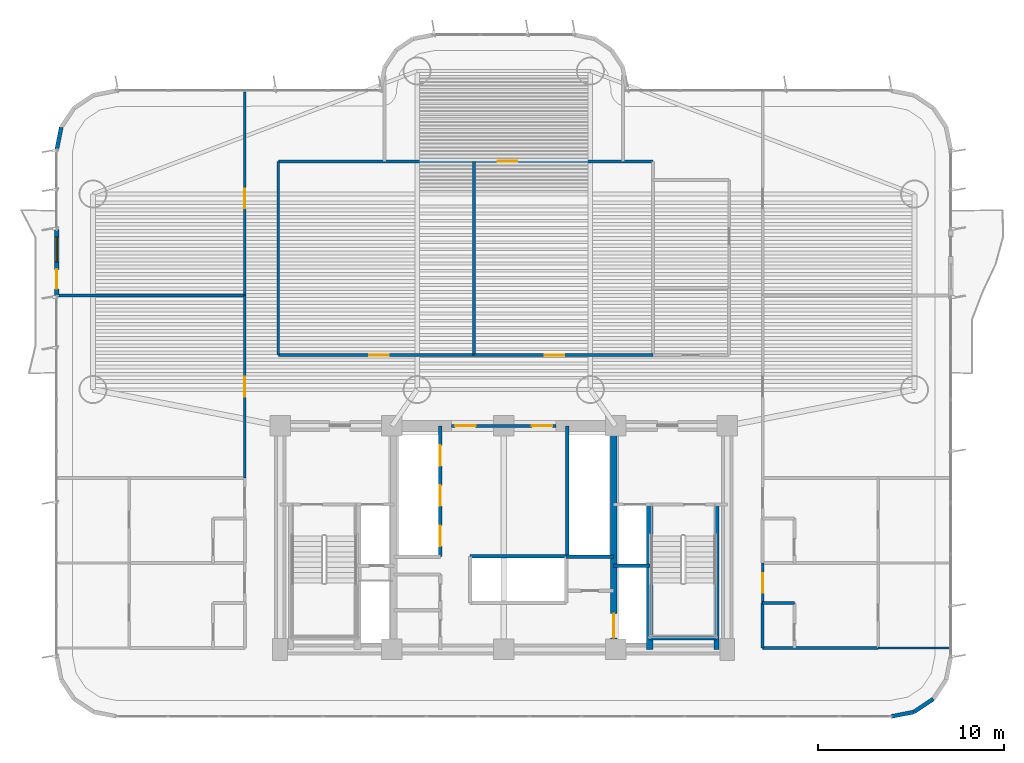
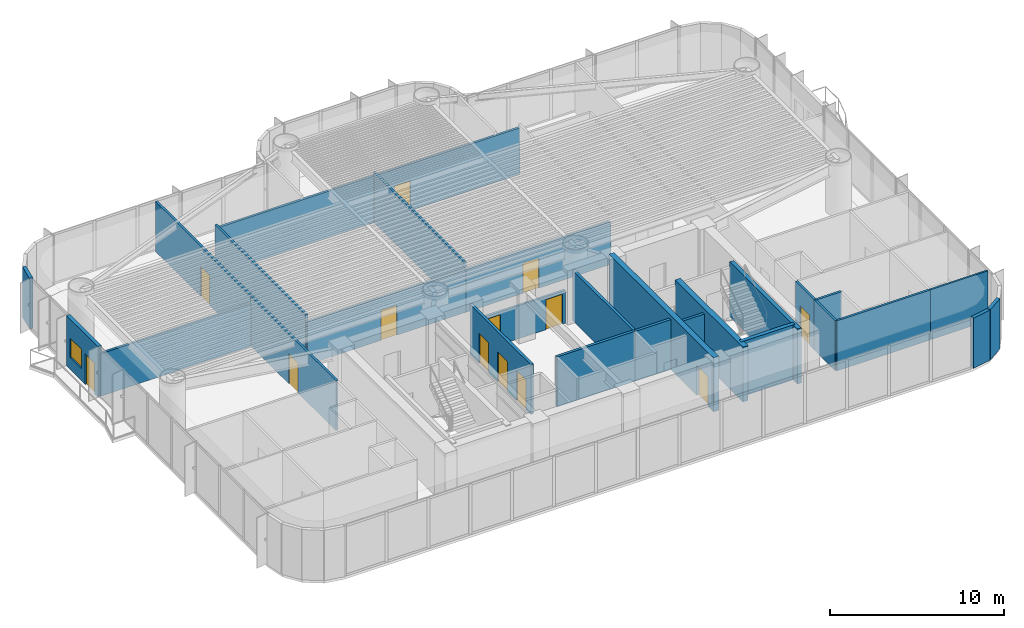
# One storey, part 11 of 17: 27 walls, 13 doors, 1 window, 14 openings.
"""IFC4 building model written with IfcOpenShell, lengths in metres."""

from ifc_helpers import new_model, si_unit, direction, frame, frame_2d, origin, origin_2d, place, context, subcontext, project, spatial, rectangle, extrude, source, transform, mapped, material, layer, layer_set, type_object, element, fill, save


model = new_model("IFC4")

# Units and contexts
model_context = context("Model", 3, precision=1e-05, world=origin(), true_north=direction((0.0, 1.0)))
body_context = subcontext(model_context, "Body", "Model", "MODEL_VIEW")
ifc_project = project(units=[si_unit("LENGTHUNIT", "METRE"), si_unit("AREAUNIT", "SQUARE_METRE"), si_unit("VOLUMEUNIT", "CUBIC_METRE"), si_unit("PLANEANGLEUNIT", "RADIAN"), si_unit("MASSUNIT", "GRAM", prefix="KILO")], contexts=[model_context])

# Site, building, storey
site_placement = place(None, origin())
site = spatial("IfcSite", under=ifc_project, at=site_placement, CompositionType="ELEMENT")
building_placement = place(site_placement, origin())
building = spatial("IfcBuilding", under=site, at=building_placement, Name="Brelvock Crest Care Tower", CompositionType="ELEMENT")
storey_placement = place(building_placement, frame((0.0, 0.0, 45.89990234375)))
storey = spatial("IfcBuildingStorey", under=building, at=storey_placement, Name="L11", CompositionType="ELEMENT", Elevation=45.89990234375)

# Wall, opening, door
ifc_material_1 = material(Name="Concrete S80 (80 MPa)", Category="concrete")
ifc_layer_1 = layer(ifc_material_1, 0.35009765625, Name="WL-CS5")
ifc_layer_set_1 = layer_set([ifc_layer_1], Name="Concrete S80 (80 MPa)")
wall_type_1 = type_object("IfcWallType", Name="WL-CS5", PredefinedType="SHEAR", material=ifc_layer_set_1)
wall_1_placement = place(storey_placement, frame((41.89990234375, 18.0, 0.0), z_axis=(0.0, 0.0, 1.0), x_axis=(0.0, -1.0, 0.0)))
wall_1 = element("IfcWall", 1, at=wall_1_placement, inside=storey, type_object=wall_type_1, Name="L11 Core Internal Web Wall East", PredefinedType="SHEAR", context=body_context, shape_type="SweptSolid", body=[
    extrude(rectangle(XDim=12.0, YDim=0.35009765625, at=frame_2d((6.0, 0.0))), origin(), (0.0, 0.0, 1.0), 3.780029296875),
])
opening_1_placement = place(wall_1_placement, frame((10.080078125, 0.0, 0.0)))
opening_1 = element("IfcOpeningElement", 2, at=opening_1_placement, cuts=wall_1, Name="Opening LD-S", PredefinedType="OPENING", context=body_context, shape_type="SweptSolid", body=[
    extrude(rectangle(XDim=1.300048828125, YDim=2.10009765625, at=origin_2d()), frame((0.64990234375, 0.18505859375, 1.050048828125), z_axis=(0.0, -1.0, 0.0), x_axis=(1.0, 0.0, 0.0)), (0.0, 0.0, 1.0), 0.3701171875),
])
ifc_material_2 = material(Name="Steel Grade 350", Category="steel")
door_type_1 = type_object("IfcDoorType", Name="DR-LDS1", OperationType="NOTDEFINED", PredefinedType="DOOR", material=ifc_material_2)
shared_shape_1 = source(origin(), body_context, "Body", "SweptSolid", [
    extrude(rectangle(XDim=1.300048828125, YDim=2.10009765625, at=origin_2d()), frame((0.64990234375, 0.02490234375, 1.050048828125), z_axis=(0.0, -1.0, 0.0), x_axis=(1.0, 0.0, 0.0)), (0.0, 0.0, 1.0), 0.050048828125),
])
door_1_placement = place(opening_1_placement, origin())
door_1 = element("IfcDoor", 3, at=door_1_placement, inside=storey, type_object=door_type_1, Name="L11 Clinical Bed Lift SL-1 Landing Door", OperationType="SLIDING_TO_LEFT", OverallHeight=2.10009765625, OverallWidth=1.300048828125, PredefinedType="DOOR", context=body_context, shape_type="MappedRepresentation", body=[
    mapped(shared_shape_1, transform((0.0, 0.0, 0.0), x_axis=(1.0, 0.0, 0.0), y_axis=(0.0, 1.0, 0.0), z_axis=(0.0, 0.0, 1.0), scale=1.0)),
])
fill(opening_1, door_1)

# Walls
wall_2_placement = place(storey_placement, frame((43.85009765625, 6.0, 0.0), z_axis=(0.0, 0.0, 1.0), x_axis=(0.0, 1.0, 0.0)))
element("IfcWall", 4, at=wall_2_placement, inside=storey, type_object=wall_type_1, Name="L11 Core Stair ST-2 West Shear Wall", PredefinedType="SHEAR", context=body_context, shape_type="SweptSolid", body=[
    extrude(rectangle(XDim=7.780029296875, YDim=0.35009765625, at=frame_2d((3.89013671875, 0.0))), origin(), (0.0, 0.0, 1.0), 3.85009765625),
])
ifc_layer_2 = layer(ifc_material_1, 0.25, Name="WL-CS6")
ifc_layer_set_2 = layer_set([ifc_layer_2], Name="Concrete S80 (80 MPa)")
wall_type_2 = type_object("IfcWallType", Name="WL-CS6", PredefinedType="SHEAR", material=ifc_layer_set_2)
wall_3_placement = place(storey_placement, frame((47.419921875, 6.0, 0.0), z_axis=(0.0, 0.0, 1.0), x_axis=(0.0, 1.0, 0.0)))
element("IfcWall", 5, at=wall_3_placement, inside=storey, type_object=wall_type_2, Name="L11 Core Stair ST-2 East Shear Wall", PredefinedType="SHEAR", context=body_context, shape_type="SweptSolid", body=[
    extrude(rectangle(XDim=7.780029296875, YDim=0.25, at=frame_2d((3.89013671875, 0.0))), origin(), (0.0, 0.0, 1.0), 3.85009765625),
])
wall_4_placement = place(storey_placement, frame((43.85009765625, 6.6201171875, 0.0), z_axis=(0.0, 0.0, 1.0), x_axis=(1.0, 0.0, 0.0)))
element("IfcWall", 6, at=wall_4_placement, inside=storey, type_object=wall_type_2, Name="L11 Core Stair ST-2 South Shear Wall", PredefinedType="SHEAR", context=body_context, shape_type="SweptSolid", body=[
    extrude(rectangle(XDim=3.56982421875, YDim=0.25, at=frame_2d((1.784912109375, 0.0))), origin(), (0.0, 0.0, 1.0), 3.85009765625),
])

# Wall, openings, door, window
ifc_material_3 = material(Name="Precast concrete N40 (40 MPa)", Category="concrete")
ifc_layer_3 = layer(ifc_material_3, 0.239990234375, Name="WL-EX1")
ifc_layer_set_3 = layer_set([ifc_layer_3], Name="Precast concrete N40 (40 MPa)")
wall_type_3 = type_object("IfcWallType", Name="WL-EX1", PredefinedType="SOLIDWALL", material=ifc_layer_set_3)
wall_5_placement = place(storey_placement, frame((12.0, 24.949951171875, 0.0), z_axis=(0.0, 0.0, 1.0), x_axis=(0.0, 1.0, 0.0)))
wall_5 = element("IfcWall", 7, at=wall_5_placement, inside=storey, type_object=wall_type_3, Name="L11 Exterior Spandrel Wall WL-BAL-L11-W", PredefinedType="SOLIDWALL", context=body_context, shape_type="SweptSolid", body=[
    extrude(rectangle(XDim=3.60009765625, YDim=0.239990234375, at=frame_2d((1.800048828125, 0.0))), origin(), (0.0, 0.0, 1.0), 3.530029296875),
])
opening_2_placement = place(wall_5_placement, frame((0.39990234375, 0.0, 0.0)))
opening_2 = element("IfcOpeningElement", 8, at=opening_2_placement, cuts=wall_5, Name="Opening BD-1", PredefinedType="OPENING", context=body_context, shape_type="SweptSolid", body=[
    extrude(rectangle(XDim=1.050048828125, YDim=2.14990234375, at=origin_2d()), frame((0.52490234375, 0.1298828125, 1.074951171875), z_axis=(0.0, -1.0, 0.0), x_axis=(1.0, 0.0, 0.0)), (0.0, 0.0, 1.0), 0.260009765625),
])
opening_3_placement = place(wall_5_placement, frame((1.85009765625, 0.0, 0.85009765625)))
opening_3 = element("IfcOpeningElement", 9, at=opening_3_placement, cuts=wall_5, Name="Opening W-01", PredefinedType="OPENING", context=body_context, shape_type="SweptSolid", body=[
    extrude(rectangle(XDim=1.35009765625, YDim=1.35009765625, at=origin_2d()), frame((0.675048828125, 0.1298828125, 0.675048828125), z_axis=(0.0, -1.0, 0.0), x_axis=(1.0, 0.0, 0.0)), (0.0, 0.0, 1.0), 0.260009765625),
])
ifc_material_4 = material(Name="Dark Glass Double Glazed Low-E", Category="glass")
door_type_2 = type_object("IfcDoorType", Name="DR-BAL1", OperationType="NOTDEFINED", PredefinedType="DOOR", material=ifc_material_4)
shared_shape_2 = source(origin(), body_context, "Body", "SweptSolid", [
    extrude(rectangle(XDim=1.050048828125, YDim=2.14990234375, at=origin_2d()), frame((0.52490234375, 0.02490234375, 1.074951171875), z_axis=(0.0, -1.0, 0.0), x_axis=(1.0, 0.0, 0.0)), (0.0, 0.0, 1.0), 0.050048828125),
])
door_2_placement = place(opening_2_placement, origin())
door_2 = element("IfcDoor", 10, at=door_2_placement, inside=storey, type_object=door_type_2, Name="L11 W Wave Balcony Glazed Door", OperationType="SINGLE_SWING_LEFT", OverallHeight=2.14990234375, OverallWidth=1.050048828125, PredefinedType="DOOR", context=body_context, shape_type="MappedRepresentation", body=[
    mapped(shared_shape_2, transform((0.0, 0.0, 0.0), x_axis=(1.0, 0.0, 0.0), y_axis=(0.0, 1.0, 0.0), z_axis=(0.0, 0.0, 1.0), scale=1.0)),
])
fill(opening_2, door_2)
window_type = type_object("IfcWindowType", Name="WN-EX1", PartitioningType="SINGLE_PANEL", PredefinedType="WINDOW", material=ifc_material_4)
shared_shape_3 = source(origin(), body_context, "Body", "SweptSolid", [
    extrude(rectangle(XDim=1.35009765625, YDim=1.35009765625, at=origin_2d()), frame((0.675048828125, 0.030029296875, 0.675048828125), z_axis=(0.0, -1.0, 0.0), x_axis=(1.0, 0.0, 0.0)), (0.0, 0.0, 1.0), 0.06005859375),
])
window_placement = place(opening_3_placement, origin())
window = element("IfcWindow", 11, at=window_placement, inside=storey, type_object=window_type, Name="L11 W Suite Casement Window", OverallHeight=1.35009765625, OverallWidth=1.35009765625, PartitioningType="SINGLE_PANEL", PredefinedType="WINDOW", context=body_context, shape_type="MappedRepresentation", body=[
    mapped(shared_shape_3, transform((0.0, 0.0, 0.0), x_axis=(1.0, 0.0, 0.0), y_axis=(0.0, 1.0, 0.0), z_axis=(0.0, 0.0, 1.0), scale=1.0)),
])
fill(opening_3, window)

# Walls
ifc_layer_4 = layer(ifc_material_3, 0.215087890625, Name="WL-EX2")
ifc_layer_set_4 = layer_set([ifc_layer_4], Name="Precast concrete N40 (40 MPa)")
wall_type_4 = type_object("IfcWallType", Name="WL-EX2", PredefinedType="SOLIDWALL", material=ifc_layer_set_4)
for number, where, z_axis, x_axis, name in (
    (12, (59.062744140625, 3.33740234375, 0.0), (0.0, 0.0, 1.0), (-0.831387912822, -0.555692485475, 0.0), "L11 Rounded Corner Wall 06"),
    (13, (58.024658203125, 2.6435546875, 0.0), (0.0, 0.0, 1.0), (-0.980775717779, -0.195138390419, 0.0), "L11 Rounded Corner Wall 07"),
    (14, (12.0, 32.800048828125, 0.0), (0.0, 0.0, 1.0), (0.195138390419, 0.980775717779, 0.0), "L11 Rounded Corner Wall 14"),
):
    element("IfcWall", number, at=place(storey_placement, frame(where, z_axis=z_axis, x_axis=x_axis)), inside=storey, type_object=wall_type_4, Name=name, PredefinedType="SOLIDWALL", context=body_context, shape_type="SweptSolid", body=[
        extrude(rectangle(XDim=1.24853515625, YDim=0.215087890625, at=frame_2d((0.624267578125, 0.0))), origin(), (0.0, 0.0, 1.0), 3.530029296875),
    ])

# Wall, openings, doors
ifc_material_5 = material(Name="Masonry Blockwork Acoustic Partition", Category="masonry")
ifc_layer_5 = layer(ifc_material_5, 0.14990234375, Name="WL-INT1")
ifc_layer_set_5 = layer_set([ifc_layer_5], Name="Masonry Blockwork Acoustic Partition")
wall_type_5 = type_object("IfcWallType", Name="WL-INT1", PredefinedType="PARTITIONING", material=ifc_layer_set_5)
wall_6_placement = place(storey_placement, frame((33.199951171875, 18.0, 0.0), z_axis=(0.0, 0.0, 1.0), x_axis=(1.0, 0.0, 0.0)))
wall_6 = element("IfcWall", 15, at=wall_6_placement, inside=storey, type_object=wall_type_5, Name="L11 Interior Wall WL-CORE-NPORT-L11", PredefinedType="PARTITIONING", context=body_context, shape_type="SweptSolid", body=[
    extrude(rectangle(XDim=5.60009765625, YDim=0.14990234375, at=frame_2d((2.800048828125, 0.0))), origin(), (0.0, 0.0, 1.0), 2.315185546875),
])
opening_4_placement = place(wall_6_placement, frame((0.18994140625, 0.0, 0.0)))
opening_4 = element("IfcOpeningElement", 16, at=opening_4_placement, cuts=wall_6, Name="Opening FD-1", PredefinedType="OPENING", context=body_context, shape_type="SweptSolid", body=[
    extrude(rectangle(XDim=1.10009765625, YDim=2.10009765625, at=origin_2d()), frame((0.550048828125, 0.0849609375, 1.050048828125), z_axis=(0.0, -1.0, 0.0), x_axis=(1.0, 0.0, 0.0)), (0.0, 0.0, 1.0), 0.169921875),
])
opening_5_placement = place(wall_6_placement, frame((4.31005859375, 0.0, 0.0)))
opening_5 = element("IfcOpeningElement", 17, at=opening_5_placement, cuts=wall_6, Name="Opening FD-1", PredefinedType="OPENING", context=body_context, shape_type="SweptSolid", body=[
    extrude(rectangle(XDim=1.10009765625, YDim=2.10009765625, at=origin_2d()), frame((0.550048828125, 0.0849609375, 1.050048828125), z_axis=(0.0, -1.0, 0.0), x_axis=(1.0, 0.0, 0.0)), (0.0, 0.0, 1.0), 0.169921875),
])
door_type_3 = type_object("IfcDoorType", Name="DR-FFL1", OperationType="NOTDEFINED", PredefinedType="DOOR", material=ifc_material_2)
shared_shape_4 = source(origin(), body_context, "Body", "SweptSolid", [
    extrude(rectangle(XDim=1.10009765625, YDim=2.10009765625, at=origin_2d()), frame((0.550048828125, 0.02490234375, 1.050048828125), z_axis=(0.0, -1.0, 0.0), x_axis=(1.0, 0.0, 0.0)), (0.0, 0.0, 1.0), 0.050048828125),
])
door_3_placement = place(opening_4_placement, origin())
door_3 = element("IfcDoor", 18, at=door_3_placement, inside=storey, type_object=door_type_3, Name="L11 Lift Lobby North Smoke Door West", OperationType="SINGLE_SWING_LEFT", OverallHeight=2.10009765625, OverallWidth=1.10009765625, PredefinedType="DOOR", context=body_context, shape_type="MappedRepresentation", body=[
    mapped(shared_shape_4, transform((0.0, 0.0, 0.0), x_axis=(1.0, 0.0, 0.0), y_axis=(0.0, 1.0, 0.0), z_axis=(0.0, 0.0, 1.0), scale=1.0)),
])
fill(opening_4, door_3)
door_4_placement = place(opening_5_placement, origin())
door_4 = element("IfcDoor", 19, at=door_4_placement, inside=storey, type_object=door_type_3, Name="L11 Lift Lobby North Smoke Door East", OperationType="SINGLE_SWING_RIGHT", OverallHeight=2.10009765625, OverallWidth=1.10009765625, PredefinedType="DOOR", context=body_context, shape_type="MappedRepresentation", body=[
    mapped(shared_shape_4, transform((0.0, 0.0, 0.0), x_axis=(1.0, 0.0, 0.0), y_axis=(0.0, 1.0, 0.0), z_axis=(0.0, 0.0, 1.0), scale=1.0)),
])
fill(opening_5, door_4)

# Wall
wall_7_placement = place(storey_placement, frame((49.89990234375, 6.080078125, 0.0), z_axis=(0.0, 0.0, 1.0), x_axis=(1.0, 0.0, 0.0)))
element("IfcWall", 20, at=wall_7_placement, inside=storey, type_object=wall_type_5, Name="L11 Interior Wall WL-BX-L11-CS-ER1A-S", PredefinedType="PARTITIONING", context=body_context, shape_type="SweptSolid", body=[
    extrude(rectangle(XDim=6.2001953125, YDim=0.14990234375, at=frame_2d((3.10009765625, 0.0))), origin(), (0.0, 0.0, 1.0), 3.5),
])

# Wall, opening, door
wall_8_placement = place(storey_placement, frame((23.89990234375, 21.800048828125, 0.0), z_axis=(0.0, 0.0, 1.0), x_axis=(1.0, 0.0, 0.0)))
wall_8 = element("IfcWall", 21, at=wall_8_placement, inside=storey, type_object=wall_type_5, Name="L11 Interior Wall WL-RM-L11-CNW", PredefinedType="PARTITIONING", context=body_context, shape_type="SweptSolid", body=[
    extrude(rectangle(XDim=10.5, YDim=0.14990234375, at=frame_2d((5.25, 0.0))), origin(), (0.0, 0.0, 1.0), 2.982177734375),
])
opening_6_placement = place(wall_8_placement, frame((4.875, 0.0, 0.0)))
opening_6 = element("IfcOpeningElement", 22, at=opening_6_placement, cuts=wall_8, Name="Opening CLD-1", PredefinedType="OPENING", context=body_context, shape_type="SweptSolid", body=[
    extrude(rectangle(XDim=1.050048828125, YDim=2.10009765625, at=origin_2d()), frame((0.52490234375, 0.0849609375, 1.050048828125), z_axis=(0.0, -1.0, 0.0), x_axis=(1.0, 0.0, 0.0)), (0.0, 0.0, 1.0), 0.169921875),
])
ifc_material_6 = material(Name="Engineered Hardwood Timber", Category="wood")
door_type_4 = type_object("IfcDoorType", Name="DR-CLN1", OperationType="NOTDEFINED", PredefinedType="DOOR", material=ifc_material_6)
shared_shape_5 = source(origin(), body_context, "Body", "SweptSolid", [
    extrude(rectangle(XDim=1.050048828125, YDim=2.10009765625, at=origin_2d()), frame((0.52490234375, 0.02490234375, 1.050048828125), z_axis=(0.0, -1.0, 0.0), x_axis=(1.0, 0.0, 0.0)), (0.0, 0.0, 1.0), 0.050048828125),
])
door_5_placement = place(opening_6_placement, origin())
door_5 = element("IfcDoor", 23, at=door_5_placement, inside=storey, type_object=door_type_4, Name="L11 Communal Dining Conservatory Door CNW", OperationType="SINGLE_SWING_LEFT", OverallHeight=2.10009765625, OverallWidth=1.050048828125, PredefinedType="DOOR", context=body_context, shape_type="MappedRepresentation", body=[
    mapped(shared_shape_5, transform((0.0, 0.0, 0.0), x_axis=(1.0, 0.0, 0.0), y_axis=(0.0, 1.0, 0.0), z_axis=(0.0, 0.0, 1.0), scale=1.0)),
])
fill(opening_6, door_5)

wall_9_placement = place(storey_placement, frame((34.39990234375, 21.800048828125, 0.0), z_axis=(0.0, 0.0, 1.0), x_axis=(1.0, 0.0, 0.0)))
wall_9 = element("IfcWall", 24, at=wall_9_placement, inside=storey, type_object=wall_type_5, Name="L11 Interior Wall WL-RM-L11-CNE", PredefinedType="PARTITIONING", context=body_context, shape_type="SweptSolid", body=[
    extrude(rectangle(XDim=9.60009765625, YDim=0.14990234375, at=frame_2d((4.800048828125, 0.0))), origin(), (0.0, 0.0, 1.0), 2.982177734375),
])
opening_7_placement = place(wall_9_placement, frame((3.794921875, 0.0, 0.0)))
opening_7 = element("IfcOpeningElement", 25, at=opening_7_placement, cuts=wall_9, Name="Opening CLD-1", PredefinedType="OPENING", context=body_context, shape_type="SweptSolid", body=[
    extrude(rectangle(XDim=1.050048828125, YDim=2.10009765625, at=origin_2d()), frame((0.52490234375, 0.0849609375, 1.050048828125), z_axis=(0.0, -1.0, 0.0), x_axis=(1.0, 0.0, 0.0)), (0.0, 0.0, 1.0), 0.169921875),
])
door_6_placement = place(opening_7_placement, origin())
door_6 = element("IfcDoor", 26, at=door_6_placement, inside=storey, type_object=door_type_4, Name="L11 Geriatric Nurse Consultation Hub Door CNE", OperationType="SINGLE_SWING_LEFT", OverallHeight=2.10009765625, OverallWidth=1.050048828125, PredefinedType="DOOR", context=body_context, shape_type="MappedRepresentation", body=[
    mapped(shared_shape_5, transform((0.0, 0.0, 0.0), x_axis=(1.0, 0.0, 0.0), y_axis=(0.0, 1.0, 0.0), z_axis=(0.0, 0.0, 1.0), scale=1.0)),
])
fill(opening_7, door_6)

# Wall
wall_10_placement = place(storey_placement, frame((12.080078125, 25.0, 0.0), z_axis=(0.0, 0.0, 1.0), x_axis=(1.0, 0.0, 0.0)))
element("IfcWall", 27, at=wall_10_placement, inside=storey, type_object=wall_type_5, Name="L11 Interior Wall WL-BX-L11-WCL2-N", PredefinedType="PARTITIONING", context=body_context, shape_type="SweptSolid", body=[
    extrude(rectangle(XDim=10.02001953125, YDim=0.14990234375, at=frame_2d((5.010009765625, 0.0))), origin(), (0.0, 0.0, 1.0), 2.982177734375),
])

# Wall, opening, door
wall_11_placement = place(storey_placement, frame((23.89990234375, 32.199951171875, 0.0), z_axis=(0.0, 0.0, 1.0), x_axis=(1.0, 0.0, 0.0)))
wall_11 = element("IfcWall", 28, at=wall_11_placement, inside=storey, type_object=wall_type_5, Name="L11 Interior Wall WL-RM-L11-NHUB", PredefinedType="PARTITIONING", context=body_context, shape_type="SweptSolid", body=[
    extrude(rectangle(XDim=20.10009765625, YDim=0.14990234375, at=frame_2d((10.050048828125, 0.0))), origin(), (0.0, 0.0, 1.0), 3.259033203125),
])
opening_8_placement = place(wall_11_placement, frame((11.77490234375, 0.0, 0.0)))
opening_8 = element("IfcOpeningElement", 29, at=opening_8_placement, cuts=wall_11, Name="Opening CLD-1", PredefinedType="OPENING", context=body_context, shape_type="SweptSolid", body=[
    extrude(rectangle(XDim=1.050048828125, YDim=2.10009765625, at=origin_2d()), frame((0.52490234375, 0.0849609375, 1.050048828125), z_axis=(0.0, -1.0, 0.0), x_axis=(1.0, 0.0, 0.0)), (0.0, 0.0, 1.0), 0.169921875),
])
door_7_placement = place(opening_8_placement, origin())
door_7 = element("IfcDoor", 30, at=door_7_placement, inside=storey, type_object=door_type_4, Name="L11 Harbour Wintergarden Lounge Door NHUB", OperationType="SINGLE_SWING_LEFT", OverallHeight=2.10009765625, OverallWidth=1.050048828125, PredefinedType="DOOR", context=body_context, shape_type="MappedRepresentation", body=[
    mapped(shared_shape_5, transform((0.0, 0.0, 0.0), x_axis=(1.0, 0.0, 0.0), y_axis=(0.0, 1.0, 0.0), z_axis=(0.0, 0.0, 1.0), scale=1.0)),
])
fill(opening_8, door_7)

wall_12_placement = place(storey_placement, frame((22.10009765625, 15.199951171875, 0.0), z_axis=(0.0, 0.0, 1.0), x_axis=(0.0, 1.0, 0.0)))
wall_12 = element("IfcWall", 31, at=wall_12_placement, inside=storey, type_object=wall_type_5, Name="L11 Interior Wall WL-RM-L11-WCL2", PredefinedType="PARTITIONING", context=body_context, shape_type="SweptSolid", body=[
    extrude(rectangle(XDim=9.800048828125, YDim=0.14990234375, at=frame_2d((4.89990234375, 0.0))), origin(), (0.0, 0.0, 1.0), 3.5),
])
opening_9_placement = place(wall_12_placement, frame((4.375, 0.0, 0.0)))
opening_9 = element("IfcOpeningElement", 32, at=opening_9_placement, cuts=wall_12, Name="Opening CLD-1", PredefinedType="OPENING", context=body_context, shape_type="SweptSolid", body=[
    extrude(rectangle(XDim=1.050048828125, YDim=2.10009765625, at=origin_2d()), frame((0.52490234375, 0.0849609375, 1.050048828125), z_axis=(0.0, -1.0, 0.0), x_axis=(1.0, 0.0, 0.0)), (0.0, 0.0, 1.0), 0.169921875),
])
door_8_placement = place(opening_9_placement, origin())
door_8 = element("IfcDoor", 33, at=door_8_placement, inside=storey, type_object=door_type_4, Name="L11 Physiotherapy Assessment Clinic Door WCL2", OperationType="SINGLE_SWING_LEFT", OverallHeight=2.10009765625, OverallWidth=1.050048828125, PredefinedType="DOOR", context=body_context, shape_type="MappedRepresentation", body=[
    mapped(shared_shape_5, transform((0.0, 0.0, 0.0), x_axis=(1.0, 0.0, 0.0), y_axis=(0.0, 1.0, 0.0), z_axis=(0.0, 0.0, 1.0), scale=1.0)),
])
fill(opening_9, door_8)

wall_13_placement = place(storey_placement, frame((22.10009765625, 25.0, 0.0), z_axis=(0.0, 0.0, 1.0), x_axis=(0.0, 1.0, 0.0)))
wall_13 = element("IfcWall", 34, at=wall_13_placement, inside=storey, type_object=wall_type_5, Name="L11 Interior Wall WL-RM-L11-WCL3", PredefinedType="PARTITIONING", context=body_context, shape_type="SweptSolid", body=[
    extrude(rectangle(XDim=10.920654296875, YDim=0.14990234375, at=frame_2d((5.46044921875, 0.0))), origin(), (0.0, 0.0, 1.0), 3.5),
])
opening_10_placement = place(wall_13_placement, frame((4.675048828125, 0.0, 0.0)))
opening_10 = element("IfcOpeningElement", 35, at=opening_10_placement, cuts=wall_13, Name="Opening CLD-1", PredefinedType="OPENING", context=body_context, shape_type="SweptSolid", body=[
    extrude(rectangle(XDim=1.050048828125, YDim=2.10009765625, at=origin_2d()), frame((0.52490234375, 0.0849609375, 1.050048828125), z_axis=(0.0, -1.0, 0.0), x_axis=(1.0, 0.0, 0.0)), (0.0, 0.0, 1.0), 0.169921875),
])
door_9_placement = place(opening_10_placement, origin())
door_9 = element("IfcDoor", 36, at=door_9_placement, inside=storey, type_object=door_type_4, Name="L11 Physiotherapy Assessment Clinic Door WCL3", OperationType="SINGLE_SWING_LEFT", OverallHeight=2.10009765625, OverallWidth=1.050048828125, PredefinedType="DOOR", context=body_context, shape_type="MappedRepresentation", body=[
    mapped(shared_shape_5, transform((0.0, 0.0, 0.0), x_axis=(1.0, 0.0, 0.0), y_axis=(0.0, 1.0, 0.0), z_axis=(0.0, 0.0, 1.0), scale=1.0)),
])
fill(opening_10, door_9)

# Walls
for number, where, z_axis, x_axis, name in (
    (37, (23.89990234375, 21.800048828125, 0.0), (0.0, 0.0, 1.0), (0.0, 1.0, 0.0), "L11 Interior Wall WL-BX-L11-CNW-W"),
    (38, (34.39990234375, 21.800048828125, 0.0), (0.0, 0.0, 1.0), (0.0, 1.0, 0.0), "L11 Interior Wall WL-BX-L11-CNE-W"),
):
    element("IfcWall", number, at=place(storey_placement, frame(where, z_axis=z_axis, x_axis=x_axis)), inside=storey, type_object=wall_type_5, Name=name, PredefinedType="PARTITIONING", context=body_context, shape_type="SweptSolid", body=[
        extrude(rectangle(XDim=10.39990234375, YDim=0.14990234375, at=frame_2d((5.199951171875, 0.0))), origin(), (0.0, 0.0, 1.0), 3.5),
    ])

# Wall, opening, door
wall_14_placement = place(storey_placement, frame((49.89990234375, 8.47998046875, 0.0), z_axis=(0.0, 0.0, 1.0), x_axis=(0.0, 1.0, 0.0)))
wall_14 = element("IfcWall", 39, at=wall_14_placement, inside=storey, type_object=wall_type_5, Name="L11 Interior Wall WL-CENT-L11-ER1A", PredefinedType="PARTITIONING", context=body_context, shape_type="SweptSolid", body=[
    extrude(rectangle(XDim=2.159912109375, YDim=0.14990234375, at=frame_2d((1.080078125, 0.0))), origin(), (0.0, 0.0, 1.0), 3.5),
])
opening_11_placement = place(wall_14_placement, frame((0.56005859375, 0.0, 0.0)))
opening_11 = element("IfcOpeningElement", 40, at=opening_11_placement, cuts=wall_14, Name="Opening CD-1", PredefinedType="OPENING", context=body_context, shape_type="SweptSolid", body=[
    extrude(rectangle(XDim=1.050048828125, YDim=2.10009765625, at=origin_2d()), frame((0.52490234375, 0.0849609375, 1.050048828125), z_axis=(0.0, -1.0, 0.0), x_axis=(1.0, 0.0, 0.0)), (0.0, 0.0, 1.0), 0.169921875),
])
door_type_5 = type_object("IfcDoorType", Name="DR-CARE1", OperationType="NOTDEFINED", PredefinedType="DOOR", material=ifc_material_6)
shared_shape_6 = source(origin(), body_context, "Body", "SweptSolid", [
    extrude(rectangle(XDim=1.050048828125, YDim=2.10009765625, at=origin_2d()), frame((0.52490234375, 0.02490234375, 1.050048828125), z_axis=(0.0, -1.0, 0.0), x_axis=(1.0, 0.0, 0.0)), (0.0, 0.0, 1.0), 0.050048828125),
])
door_10_placement = place(opening_11_placement, origin())
door_10 = element("IfcDoor", 41, at=door_10_placement, inside=storey, type_object=door_type_5, Name="L11 Care Suite Door ER1A", OperationType="SINGLE_SWING_LEFT", OverallHeight=2.10009765625, OverallWidth=1.050048828125, PredefinedType="DOOR", context=body_context, shape_type="MappedRepresentation", body=[
    mapped(shared_shape_6, transform((0.0, 0.0, 0.0), x_axis=(1.0, 0.0, 0.0), y_axis=(0.0, 1.0, 0.0), z_axis=(0.0, 0.0, 1.0), scale=1.0)),
])
fill(opening_11, door_10)

# Walls
ifc_material_7 = material(Name="Gypsum Plasterboard Partition", Category="gypsum")
ifc_layer_6 = layer(ifc_material_7, 0.1201171875, Name="WL-INT2")
ifc_layer_set_6 = layer_set([ifc_layer_6], Name="Gypsum Plasterboard Partition")
wall_type_6 = type_object("IfcWallType", Name="WL-INT2", PredefinedType="PARTITIONING", material=ifc_layer_set_6)
wall_15_placement = place(storey_placement, frame((56.10009765625, 6.080078125, 0.0), z_axis=(0.0, 0.0, 1.0), x_axis=(1.0, 0.0, 0.0)))
element("IfcWall", 42, at=wall_15_placement, inside=storey, type_object=wall_type_6, Name="L11 Interior Wall WL-BX-L11-ER1AS-S", PredefinedType="PARTITIONING", context=body_context, shape_type="SweptSolid", body=[
    extrude(rectangle(XDim=3.81982421875, YDim=0.1201171875, at=frame_2d((1.909912109375, 0.0))), origin(), (0.0, 0.0, 1.0), 3.5),
])
ifc_layer_7 = layer(ifc_material_7, 0.159912109375, Name="WL-PLM1")
ifc_layer_set_7 = layer_set([ifc_layer_7], Name="Gypsum Plasterboard Partition")
wall_type_7 = type_object("IfcWallType", Name="WL-PLM1", PredefinedType="PLUMBINGWALL", material=ifc_layer_set_7)
wall_16_placement = place(storey_placement, frame((49.89990234375, 8.47998046875, 0.0), z_axis=(0.0, 0.0, 1.0), x_axis=(1.0, 0.0, 0.0)))
element("IfcWall", 43, at=wall_16_placement, inside=storey, type_object=wall_type_7, Name="L11 Interior Wall WL-CENS2-L11-ER1A", PredefinedType="PLUMBINGWALL", context=body_context, shape_type="SweptSolid", body=[
    extrude(rectangle(XDim=1.7001953125, YDim=0.159912109375, at=frame_2d((0.85009765625, 0.0))), origin(), (0.0, 0.0, 1.0), 3.5),
])
wall_17_placement = place(storey_placement, frame((49.89990234375, 6.080078125, 0.0), z_axis=(0.0, 0.0, 1.0), x_axis=(0.0, 1.0, 0.0)))
element("IfcWall", 44, at=wall_17_placement, inside=storey, type_object=wall_type_7, Name="L11 Interior Wall WL-CENS0-L11-ER1A", PredefinedType="PLUMBINGWALL", context=body_context, shape_type="SweptSolid", body=[
    extrude(rectangle(XDim=2.39990234375, YDim=0.159912109375, at=frame_2d((1.199951171875, 0.0))), origin(), (0.0, 0.0, 1.0), 3.5),
])
ifc_layer_8 = layer(ifc_material_5, 0.179931640625, Name="WL-SHF1")
ifc_layer_set_8 = layer_set([ifc_layer_8], Name="Masonry Blockwork Acoustic Partition")
wall_type_8 = type_object("IfcWallType", Name="WL-SHF1", PredefinedType="PARTITIONING", material=ifc_layer_set_8)
wall_18_placement = place(storey_placement, frame((34.199951171875, 11.0, 0.0), z_axis=(0.0, 0.0, 1.0), x_axis=(1.0, 0.0, 0.0)))
element("IfcWall", 45, at=wall_18_placement, inside=storey, type_object=wall_type_8, Name="L11 Interior Wall WL-PLM-SHF-L11", PredefinedType="PARTITIONING", context=body_context, shape_type="SweptSolid", body=[
    extrude(rectangle(XDim=5.150146484375, YDim=0.179931640625, at=frame_2d((2.5751953125, 0.0))), origin(), (0.0, 0.0, 1.0), 3.5),
])
wall_19_placement = place(storey_placement, frame((39.39990234375, 11.0, 0.0), z_axis=(0.0, 0.0, 1.0), x_axis=(0.0, 1.0, 0.0)))
element("IfcWall", 46, at=wall_19_placement, inside=storey, type_object=wall_type_8, Name="L11 Interior Wall WL-PLH-SHF-L11", PredefinedType="PARTITIONING", context=body_context, shape_type="SweptSolid", body=[
    extrude(rectangle(XDim=7.0, YDim=0.179931640625, at=frame_2d((3.5, 0.0))), origin(), (0.0, 0.0, 1.0), 3.5),
])
wall_20_placement = place(storey_placement, frame((39.35009765625, 10.97998046875, 0.0), z_axis=(0.0, 0.0, 1.0), x_axis=(1.0, 0.0, 0.0)))
element("IfcWall", 47, at=wall_20_placement, inside=storey, type_object=wall_type_8, Name="L11 Interior Wall WL-CSBE-N-L11", PredefinedType="PARTITIONING", context=body_context, shape_type="SweptSolid", body=[
    extrude(rectangle(XDim=2.5498046875, YDim=0.179931640625, at=frame_2d((1.27490234375, 0.0))), origin(), (0.0, 0.0, 1.0), 3.5),
])
wall_21_placement = place(storey_placement, frame((41.89990234375, 10.5, 0.0), z_axis=(0.0, 0.0, 1.0), x_axis=(1.0, 0.0, 0.0)))
element("IfcWall", 48, at=wall_21_placement, inside=storey, type_object=wall_type_8, Name="L11 Interior Wall WL-FFH2-S-L11", PredefinedType="PARTITIONING", context=body_context, shape_type="SweptSolid", body=[
    extrude(rectangle(XDim=1.9501953125, YDim=0.179931640625, at=frame_2d((0.97509765625, 0.0))), origin(), (0.0, 0.0, 1.0), 3.5),
])

# Wall, openings, doors
wall_22_placement = place(storey_placement, frame((32.60009765625, 11.0, 0.0), z_axis=(0.0, 0.0, 1.0), x_axis=(0.0, 1.0, 0.0)))
wall_22 = element("IfcWall", 49, at=wall_22_placement, inside=storey, type_object=wall_type_8, Name="L11 Interior Wall WL-PLL-BANK-L11", PredefinedType="PARTITIONING", context=body_context, shape_type="SweptSolid", body=[
    extrude(rectangle(XDim=7.0, YDim=0.179931640625, at=frame_2d((3.5, 0.0))), origin(), (0.0, 0.0, 1.0), 3.5),
])
opening_12_placement = place(wall_22_placement, frame((0.550048828125, 0.0, 0.0)))
opening_12 = element("IfcOpeningElement", 50, at=opening_12_placement, cuts=wall_22, Name="Opening LD", PredefinedType="OPENING", context=body_context, shape_type="SweptSolid", body=[
    extrude(rectangle(XDim=1.10009765625, YDim=2.10009765625, at=origin_2d()), frame((0.550048828125, 0.10009765625, 1.050048828125), z_axis=(0.0, -1.0, 0.0), x_axis=(1.0, 0.0, 0.0)), (0.0, 0.0, 1.0), 0.199951171875),
])
opening_13_placement = place(wall_22_placement, frame((2.699951171875, 0.0, 0.0)))
opening_13 = element("IfcOpeningElement", 51, at=opening_13_placement, cuts=wall_22, Name="Opening LD", PredefinedType="OPENING", context=body_context, shape_type="SweptSolid", body=[
    extrude(rectangle(XDim=1.10009765625, YDim=2.10009765625, at=origin_2d()), frame((0.550048828125, 0.10009765625, 1.050048828125), z_axis=(0.0, -1.0, 0.0), x_axis=(1.0, 0.0, 0.0)), (0.0, 0.0, 1.0), 0.199951171875),
])
opening_14_placement = place(wall_22_placement, frame((4.85009765625, 0.0, 0.0)))
opening_14 = element("IfcOpeningElement", 52, at=opening_14_placement, cuts=wall_22, Name="Opening LD", PredefinedType="OPENING", context=body_context, shape_type="SweptSolid", body=[
    extrude(rectangle(XDim=1.10009765625, YDim=2.10009765625, at=origin_2d()), frame((0.550048828125, 0.10009765625, 1.050048828125), z_axis=(0.0, -1.0, 0.0), x_axis=(1.0, 0.0, 0.0)), (0.0, 0.0, 1.0), 0.199951171875),
])
door_type_6 = type_object("IfcDoorType", Name="DR-LD1", OperationType="NOTDEFINED", PredefinedType="DOOR", material=ifc_material_2)
shared_shape_7 = source(origin(), body_context, "Body", "SweptSolid", [
    extrude(rectangle(XDim=1.10009765625, YDim=2.10009765625, at=origin_2d()), frame((0.550048828125, 0.02490234375, 1.050048828125), z_axis=(0.0, -1.0, 0.0), x_axis=(1.0, 0.0, 0.0)), (0.0, 0.0, 1.0), 0.050048828125),
])
door_11_placement = place(opening_12_placement, origin())
door_11 = element("IfcDoor", 53, at=door_11_placement, inside=storey, type_object=door_type_6, Name="L11 Lift PL-L1 Landing Door", OperationType="SLIDING_TO_LEFT", OverallHeight=2.10009765625, OverallWidth=1.10009765625, PredefinedType="DOOR", context=body_context, shape_type="MappedRepresentation", body=[
    mapped(shared_shape_7, transform((0.0, 0.0, 0.0), x_axis=(1.0, 0.0, 0.0), y_axis=(0.0, 1.0, 0.0), z_axis=(0.0, 0.0, 1.0), scale=1.0)),
])
fill(opening_12, door_11)
door_12_placement = place(opening_13_placement, origin())
door_12 = element("IfcDoor", 54, at=door_12_placement, inside=storey, type_object=door_type_6, Name="L11 Lift PL-L2 Landing Door", OperationType="SLIDING_TO_LEFT", OverallHeight=2.10009765625, OverallWidth=1.10009765625, PredefinedType="DOOR", context=body_context, shape_type="MappedRepresentation", body=[
    mapped(shared_shape_7, transform((0.0, 0.0, 0.0), x_axis=(1.0, 0.0, 0.0), y_axis=(0.0, 1.0, 0.0), z_axis=(0.0, 0.0, 1.0), scale=1.0)),
])
fill(opening_13, door_12)
door_13_placement = place(opening_14_placement, origin())
door_13 = element("IfcDoor", 55, at=door_13_placement, inside=storey, type_object=door_type_6, Name="L11 Lift PL-L3 Landing Door", OperationType="SLIDING_TO_LEFT", OverallHeight=2.10009765625, OverallWidth=1.10009765625, PredefinedType="DOOR", context=body_context, shape_type="MappedRepresentation", body=[
    mapped(shared_shape_7, transform((0.0, 0.0, 0.0), x_axis=(1.0, 0.0, 0.0), y_axis=(0.0, 1.0, 0.0), z_axis=(0.0, 0.0, 1.0), scale=1.0)),
])
fill(opening_14, door_13)

save(model, "model.ifc")
